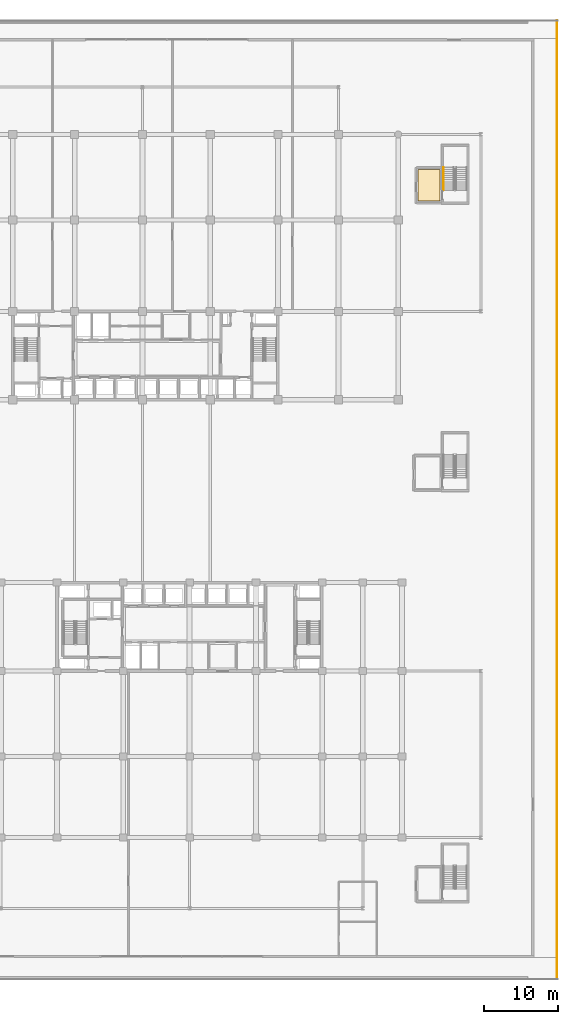
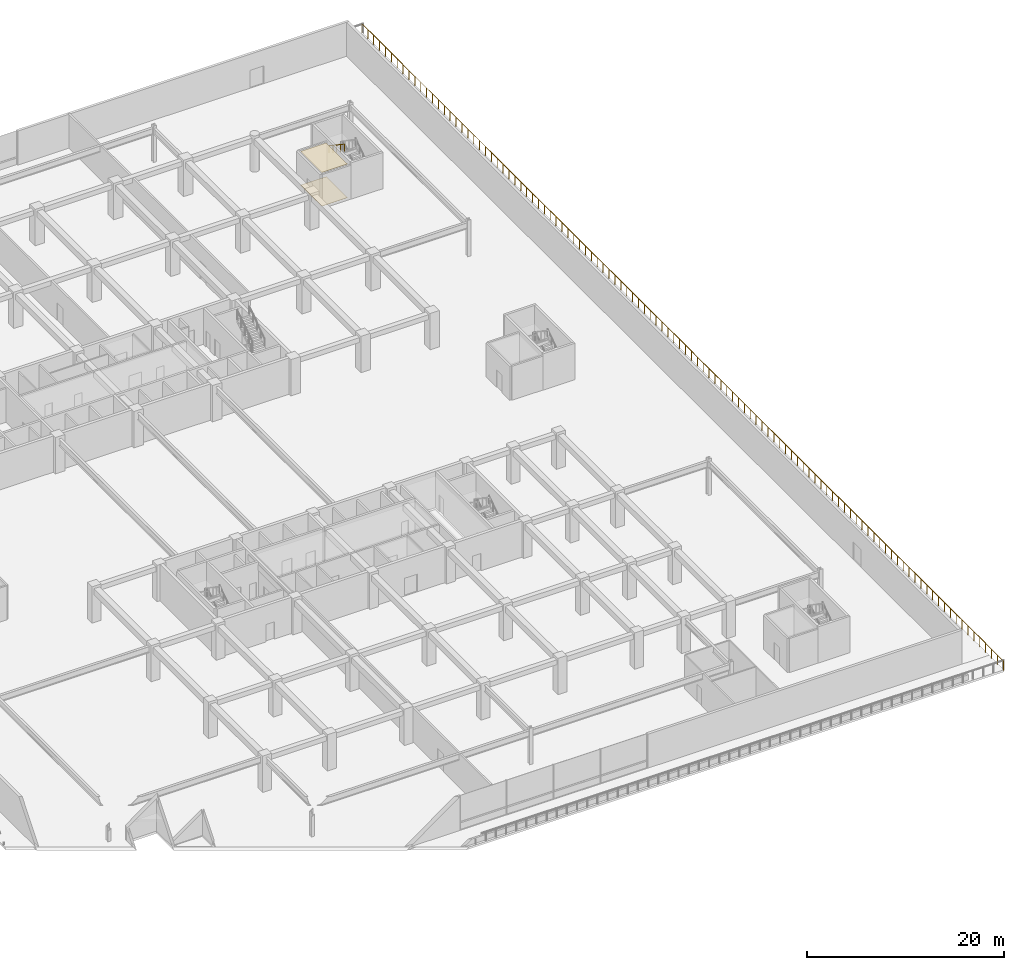
# One storey, part 41 of 43: 2 coverings, 2 railings.
"""IFC4 building model written with IfcOpenShell, lengths in metres."""

from ifc_helpers import new_model, si_unit, direction, frame, origin, origin_2d, place, context, subcontext, project, spatial, polyline, circle, outline, extrude, material, layer, layer_set, type_object, element, save


model = new_model("IFC4")

# Units and contexts
model_context = context("Model", 3, precision=1e-05, world=origin(), true_north=direction((0.0, 1.0)))
body_context = subcontext(model_context, "Body", "Model", "MODEL_VIEW")
ifc_project = project(units=[si_unit("LENGTHUNIT", "METRE"), si_unit("AREAUNIT", "SQUARE_METRE"), si_unit("VOLUMEUNIT", "CUBIC_METRE"), si_unit("PLANEANGLEUNIT", "RADIAN"), si_unit("MASSUNIT", "GRAM", prefix="KILO")], contexts=[model_context])

# Site, building, storey
site_placement = place(None, origin())
site = spatial("IfcSite", under=ifc_project, at=site_placement, CompositionType="ELEMENT")
building_placement = place(site_placement, origin())
building = spatial("IfcBuilding", under=site, at=building_placement, Name="Korimba Cascade Residences", CompositionType="ELEMENT")
storey_placement = place(building_placement, frame((0.0, 0.0, 10.0)))
storey = spatial("IfcBuildingStorey", under=building, at=storey_placement, Name="L02", CompositionType="ELEMENT", Elevation=10.0)

# Coverings
ifc_material_1 = material(Name="Perforated Acoustic Gypsum Ceiling", Category="gypsum")
ifc_layer_1 = layer(ifc_material_1, 0.02490234375)
ifc_layer_set_1 = layer_set([ifc_layer_1], Name="Perforated Acoustic Gypsum Ceiling")
covering_type_1 = type_object("IfcCoveringType", Name="COV-CLG-AC", PredefinedType="CEILING", material=ifc_layer_set_1)
covering_1_placement = place(storey_placement, frame((0.0, 0.0, 4.175048828125)))
element("IfcCovering", 1, at=covering_1_placement, inside=storey, type_object=covering_type_1, Name="L02 Suspended Acoustic Ceiling L02-PL4", PredefinedType="CEILING", context=body_context, shape_type="SweptSolid", body=[
    extrude(outline(polyline([(131.050048828125, 82.14990234375), (134.050048828125, 82.14990234375), (134.050048828125, 86.449951171875), (131.050048828125, 86.449951171875), (131.050048828125, 82.14990234375)])), origin(), (0.0, 0.0, 1.0), 0.02490234375),
])
ifc_material_2 = material(Name="Honed Travertine Stone Flooring", Category="masonry")
ifc_layer_2 = layer(ifc_material_2, 0.02490234375)
ifc_layer_set_2 = layer_set([ifc_layer_2], Name="Honed Travertine Stone Flooring")
covering_type_2 = type_object("IfcCoveringType", Name="COV-FLR-STN", PredefinedType="FLOORING", material=ifc_layer_set_2)
covering_2_placement = place(storey_placement, origin())
element("IfcCovering", 2, at=covering_2_placement, inside=storey, type_object=covering_type_2, Name="L02 Honed Travertine Stone Flooring L02-PL4", PredefinedType="FLOORING", context=body_context, shape_type="SweptSolid", body=[
    extrude(outline(polyline([(131.050048828125, 82.14990234375), (134.050048828125, 82.14990234375), (134.050048828125, 86.449951171875), (131.050048828125, 86.449951171875), (131.050048828125, 82.14990234375)])), origin(), (0.0, 0.0, 1.0), 0.02490234375),
])

# Railings
ifc_material_3 = material(Name="Brushed Stainless Steel Handrail", Category="steel")
railing_type_1 = type_object("IfcRailingType", Name="RLG-ST-HR900", PredefinedType="HANDRAIL", material=ifc_material_3)
railing_1_placement = place(storey_placement, frame((134.550048828125, 86.72998046875, 2.629150390625)))
element("IfcRailing", 3, at=railing_1_placement, inside=storey, type_object=railing_type_1, Name="L02 ST-P4 stair handrail 2", PredefinedType="HANDRAIL", context=body_context, shape_type="SweptSolid", body=[
    extrude(circle(Radius=0.02392578125, at=origin_2d()), frame((0.0, 0.0, 0.8759765625), z_axis=(0.0, -0.830913701846, 0.55640131208), x_axis=(1.0, 0.0, 0.0)), (0.0, 0.0, 1.0), 3.706787109375),
    extrude(circle(Radius=0.02099609375, at=origin_2d()), origin(), (0.0, 0.0, 1.0), 0.851806640625),
    extrude(circle(Radius=0.02099609375, at=origin_2d()), frame((0.0, -0.77001953125, 0.515625)), (0.0, 0.0, 1.0), 0.851806640625),
    extrude(circle(Radius=0.02099609375, at=origin_2d()), frame((0.0, -1.5400390625, 1.03125)), (0.0, 0.0, 1.0), 0.851806640625),
    extrude(circle(Radius=0.02099609375, at=origin_2d()), frame((0.0, -2.31005859375, 1.546875)), (0.0, 0.0, 1.0), 0.851806640625),
    extrude(circle(Radius=0.02099609375, at=origin_2d()), frame((0.0, -3.080078125, 2.0625)), (0.0, 0.0, 1.0), 0.851806640625),
])
ifc_material_4 = material(Name="Painted Galvanised Steel Terrace Guardrail", Category="steel")
railing_type_2 = type_object("IfcRailingType", Name="RLG-TER-1150", PredefinedType="GUARDRAIL", material=ifc_material_4)
railing_2_placement = place(storey_placement, frame((149.919921875, -23.5, 0.0)))
element("IfcRailing", 4, at=railing_2_placement, inside=storey, type_object=railing_type_2, Name="L02 Perimeter Guardrail RLG-L02-TER-02", PredefinedType="GUARDRAIL", context=body_context, shape_type="SweptSolid", body=[
    extrude(circle(Radius=0.02392578125, at=origin_2d()), frame((0.0, 0.0, 1.1259765625), z_axis=(0.0, 1.0, 0.0), x_axis=(-1.0, 0.0, 0.0)), (0.0, 0.0, 1.0), 130.199951171875),
    extrude(circle(Radius=0.02099609375, at=origin_2d()), origin(), (0.0, 0.0, 1.0), 1.101806640625),
    extrude(circle(Radius=0.02099609375, at=origin_2d()), frame((0.0, 1.194580078125, 0.0)), (0.0, 0.0, 1.0), 1.101806640625),
    extrude(circle(Radius=0.02099609375, at=origin_2d()), frame((0.0, 2.388916015625, 0.0)), (0.0, 0.0, 1.0), 1.101806640625),
    extrude(circle(Radius=0.02099609375, at=origin_2d()), frame((0.0, 3.58349609375, 0.0)), (0.0, 0.0, 1.0), 1.101806640625),
    extrude(circle(Radius=0.02099609375, at=origin_2d()), frame((0.0, 4.778076171875, 0.0)), (0.0, 0.0, 1.0), 1.101806640625),
    extrude(circle(Radius=0.02099609375, at=origin_2d()), frame((0.0, 5.972412109375, 0.0)), (0.0, 0.0, 1.0), 1.101806640625),
    extrude(circle(Radius=0.02099609375, at=origin_2d()), frame((0.0, 7.1669921875, 0.0)), (0.0, 0.0, 1.0), 1.101806640625),
    extrude(circle(Radius=0.02099609375, at=origin_2d()), frame((0.0, 8.361572265625, 0.0)), (0.0, 0.0, 1.0), 1.101806640625),
    extrude(circle(Radius=0.02099609375, at=origin_2d()), frame((0.0, 9.555908203125, 0.0)), (0.0, 0.0, 1.0), 1.101806640625),
    extrude(circle(Radius=0.02099609375, at=origin_2d()), frame((0.0, 10.75048828125, 0.0)), (0.0, 0.0, 1.0), 1.101806640625),
    extrude(circle(Radius=0.02099609375, at=origin_2d()), frame((0.0, 11.945068359375, 0.0)), (0.0, 0.0, 1.0), 1.101806640625),
    extrude(circle(Radius=0.02099609375, at=origin_2d()), frame((0.0, 13.139404296875, 0.0)), (0.0, 0.0, 1.0), 1.101806640625),
    extrude(circle(Radius=0.02099609375, at=origin_2d()), frame((0.0, 14.333984375, 0.0)), (0.0, 0.0, 1.0), 1.101806640625),
    extrude(circle(Radius=0.02099609375, at=origin_2d()), frame((0.0, 15.5283203125, 0.0)), (0.0, 0.0, 1.0), 1.101806640625),
    extrude(circle(Radius=0.02099609375, at=origin_2d()), frame((0.0, 16.722900390625, 0.0)), (0.0, 0.0, 1.0), 1.101806640625),
    extrude(circle(Radius=0.02099609375, at=origin_2d()), frame((0.0, 17.91748046875, 0.0)), (0.0, 0.0, 1.0), 1.101806640625),
    extrude(circle(Radius=0.02099609375, at=origin_2d()), frame((0.0, 19.11181640625, 0.0)), (0.0, 0.0, 1.0), 1.101806640625),
    extrude(circle(Radius=0.02099609375, at=origin_2d()), frame((0.0, 20.306396484375, 0.0)), (0.0, 0.0, 1.0), 1.101806640625),
    extrude(circle(Radius=0.02099609375, at=origin_2d()), frame((0.0, 21.5009765625, 0.0)), (0.0, 0.0, 1.0), 1.101806640625),
    extrude(circle(Radius=0.02099609375, at=origin_2d()), frame((0.0, 22.6953125, 0.0)), (0.0, 0.0, 1.0), 1.101806640625),
    extrude(circle(Radius=0.02099609375, at=origin_2d()), frame((0.0, 23.889892578125, 0.0)), (0.0, 0.0, 1.0), 1.101806640625),
    extrude(circle(Radius=0.02099609375, at=origin_2d()), frame((0.0, 25.08447265625, 0.0)), (0.0, 0.0, 1.0), 1.101806640625),
    extrude(circle(Radius=0.02099609375, at=origin_2d()), frame((0.0, 26.27880859375, 0.0)), (0.0, 0.0, 1.0), 1.101806640625),
    extrude(circle(Radius=0.02099609375, at=origin_2d()), frame((0.0, 27.473388671875, 0.0)), (0.0, 0.0, 1.0), 1.101806640625),
    extrude(circle(Radius=0.02099609375, at=origin_2d()), frame((0.0, 28.66796875, 0.0)), (0.0, 0.0, 1.0), 1.101806640625),
    extrude(circle(Radius=0.02099609375, at=origin_2d()), frame((0.0, 29.8623046875, 0.0)), (0.0, 0.0, 1.0), 1.101806640625),
    extrude(circle(Radius=0.02099609375, at=origin_2d()), frame((0.0, 31.056884765625, 0.0)), (0.0, 0.0, 1.0), 1.101806640625),
    extrude(circle(Radius=0.02099609375, at=origin_2d()), frame((0.0, 32.25146484375, 0.0)), (0.0, 0.0, 1.0), 1.101806640625),
    extrude(circle(Radius=0.02099609375, at=origin_2d()), frame((0.0, 33.44580078125, 0.0)), (0.0, 0.0, 1.0), 1.101806640625),
    extrude(circle(Radius=0.02099609375, at=origin_2d()), frame((0.0, 34.640380859375, 0.0)), (0.0, 0.0, 1.0), 1.101806640625),
    extrude(circle(Radius=0.02099609375, at=origin_2d()), frame((0.0, 35.8349609375, 0.0)), (0.0, 0.0, 1.0), 1.101806640625),
    extrude(circle(Radius=0.02099609375, at=origin_2d()), frame((0.0, 37.029296875, 0.0)), (0.0, 0.0, 1.0), 1.101806640625),
    extrude(circle(Radius=0.02099609375, at=origin_2d()), frame((0.0, 38.223876953125, 0.0)), (0.0, 0.0, 1.0), 1.101806640625),
    extrude(circle(Radius=0.02099609375, at=origin_2d()), frame((0.0, 39.418212890625, 0.0)), (0.0, 0.0, 1.0), 1.101806640625),
    extrude(circle(Radius=0.02099609375, at=origin_2d()), frame((0.0, 40.61279296875, 0.0)), (0.0, 0.0, 1.0), 1.101806640625),
    extrude(circle(Radius=0.02099609375, at=origin_2d()), frame((0.0, 41.807373046875, 0.0)), (0.0, 0.0, 1.0), 1.101806640625),
    extrude(circle(Radius=0.02099609375, at=origin_2d()), frame((0.0, 43.001708984375, 0.0)), (0.0, 0.0, 1.0), 1.101806640625),
    extrude(circle(Radius=0.02099609375, at=origin_2d()), frame((0.0, 44.1962890625, 0.0)), (0.0, 0.0, 1.0), 1.101806640625),
    extrude(circle(Radius=0.02099609375, at=origin_2d()), frame((0.0, 45.390869140625, 0.0)), (0.0, 0.0, 1.0), 1.101806640625),
    extrude(circle(Radius=0.02099609375, at=origin_2d()), frame((0.0, 46.585205078125, 0.0)), (0.0, 0.0, 1.0), 1.101806640625),
    extrude(circle(Radius=0.02099609375, at=origin_2d()), frame((0.0, 47.77978515625, 0.0)), (0.0, 0.0, 1.0), 1.101806640625),
    extrude(circle(Radius=0.02099609375, at=origin_2d()), frame((0.0, 48.974365234375, 0.0)), (0.0, 0.0, 1.0), 1.101806640625),
    extrude(circle(Radius=0.02099609375, at=origin_2d()), frame((0.0, 50.168701171875, 0.0)), (0.0, 0.0, 1.0), 1.101806640625),
    extrude(circle(Radius=0.02099609375, at=origin_2d()), frame((0.0, 51.36328125, 0.0)), (0.0, 0.0, 1.0), 1.101806640625),
    extrude(circle(Radius=0.02099609375, at=origin_2d()), frame((0.0, 52.557861328125, 0.0)), (0.0, 0.0, 1.0), 1.101806640625),
    extrude(circle(Radius=0.02099609375, at=origin_2d()), frame((0.0, 53.752197265625, 0.0)), (0.0, 0.0, 1.0), 1.101806640625),
    extrude(circle(Radius=0.02099609375, at=origin_2d()), frame((0.0, 54.94677734375, 0.0)), (0.0, 0.0, 1.0), 1.101806640625),
    extrude(circle(Radius=0.02099609375, at=origin_2d()), frame((0.0, 56.141357421875, 0.0)), (0.0, 0.0, 1.0), 1.101806640625),
    extrude(circle(Radius=0.02099609375, at=origin_2d()), frame((0.0, 57.335693359375, 0.0)), (0.0, 0.0, 1.0), 1.101806640625),
    extrude(circle(Radius=0.02099609375, at=origin_2d()), frame((0.0, 58.5302734375, 0.0)), (0.0, 0.0, 1.0), 1.101806640625),
    extrude(circle(Radius=0.02099609375, at=origin_2d()), frame((0.0, 59.724853515625, 0.0)), (0.0, 0.0, 1.0), 1.101806640625),
    extrude(circle(Radius=0.02099609375, at=origin_2d()), frame((0.0, 60.919189453125, 0.0)), (0.0, 0.0, 1.0), 1.101806640625),
    extrude(circle(Radius=0.02099609375, at=origin_2d()), frame((0.0, 62.11376953125, 0.0)), (0.0, 0.0, 1.0), 1.101806640625),
    extrude(circle(Radius=0.02099609375, at=origin_2d()), frame((0.0, 63.308349609375, 0.0)), (0.0, 0.0, 1.0), 1.101806640625),
    extrude(circle(Radius=0.02099609375, at=origin_2d()), frame((0.0, 64.502685546875, 0.0)), (0.0, 0.0, 1.0), 1.101806640625),
    extrude(circle(Radius=0.02099609375, at=origin_2d()), frame((0.0, 65.697265625, 0.0)), (0.0, 0.0, 1.0), 1.101806640625),
    extrude(circle(Radius=0.02099609375, at=origin_2d()), frame((0.0, 66.8916015625, 0.0)), (0.0, 0.0, 1.0), 1.101806640625),
    extrude(circle(Radius=0.02099609375, at=origin_2d()), frame((0.0, 68.086181640625, 0.0)), (0.0, 0.0, 1.0), 1.101806640625),
    extrude(circle(Radius=0.02099609375, at=origin_2d()), frame((0.0, 69.28076171875, 0.0)), (0.0, 0.0, 1.0), 1.101806640625),
    extrude(circle(Radius=0.02099609375, at=origin_2d()), frame((0.0, 70.47509765625, 0.0)), (0.0, 0.0, 1.0), 1.101806640625),
    extrude(circle(Radius=0.02099609375, at=origin_2d()), frame((0.0, 71.669677734375, 0.0)), (0.0, 0.0, 1.0), 1.101806640625),
    extrude(circle(Radius=0.02099609375, at=origin_2d()), frame((0.0, 72.8642578125, 0.0)), (0.0, 0.0, 1.0), 1.101806640625),
    extrude(circle(Radius=0.02099609375, at=origin_2d()), frame((0.0, 74.05859375, 0.0)), (0.0, 0.0, 1.0), 1.101806640625),
    extrude(circle(Radius=0.02099609375, at=origin_2d()), frame((0.0, 75.253173828125, 0.0)), (0.0, 0.0, 1.0), 1.101806640625),
    extrude(circle(Radius=0.02099609375, at=origin_2d()), frame((0.0, 76.44775390625, 0.0)), (0.0, 0.0, 1.0), 1.101806640625),
    extrude(circle(Radius=0.02099609375, at=origin_2d()), frame((0.0, 77.64208984375, 0.0)), (0.0, 0.0, 1.0), 1.101806640625),
    extrude(circle(Radius=0.02099609375, at=origin_2d()), frame((0.0, 78.836669921875, 0.0)), (0.0, 0.0, 1.0), 1.101806640625),
    extrude(circle(Radius=0.02099609375, at=origin_2d()), frame((0.0, 80.03125, 0.0)), (0.0, 0.0, 1.0), 1.101806640625),
    extrude(circle(Radius=0.02099609375, at=origin_2d()), frame((0.0, 81.2255859375, 0.0)), (0.0, 0.0, 1.0), 1.101806640625),
    extrude(circle(Radius=0.02099609375, at=origin_2d()), frame((0.0, 82.420166015625, 0.0)), (0.0, 0.0, 1.0), 1.101806640625),
    extrude(circle(Radius=0.02099609375, at=origin_2d()), frame((0.0, 83.61474609375, 0.0)), (0.0, 0.0, 1.0), 1.101806640625),
    extrude(circle(Radius=0.02099609375, at=origin_2d()), frame((0.0, 84.80908203125, 0.0)), (0.0, 0.0, 1.0), 1.101806640625),
    extrude(circle(Radius=0.02099609375, at=origin_2d()), frame((0.0, 86.003662109375, 0.0)), (0.0, 0.0, 1.0), 1.101806640625),
    extrude(circle(Radius=0.02099609375, at=origin_2d()), frame((0.0, 87.1982421875, 0.0)), (0.0, 0.0, 1.0), 1.101806640625),
    extrude(circle(Radius=0.02099609375, at=origin_2d()), frame((0.0, 88.392578125, 0.0)), (0.0, 0.0, 1.0), 1.101806640625),
    extrude(circle(Radius=0.02099609375, at=origin_2d()), frame((0.0, 89.587158203125, 0.0)), (0.0, 0.0, 1.0), 1.101806640625),
    extrude(circle(Radius=0.02099609375, at=origin_2d()), frame((0.0, 90.78173828125, 0.0)), (0.0, 0.0, 1.0), 1.101806640625),
    extrude(circle(Radius=0.02099609375, at=origin_2d()), frame((0.0, 91.97607421875, 0.0)), (0.0, 0.0, 1.0), 1.101806640625),
    extrude(circle(Radius=0.02099609375, at=origin_2d()), frame((0.0, 93.170654296875, 0.0)), (0.0, 0.0, 1.0), 1.101806640625),
    extrude(circle(Radius=0.02099609375, at=origin_2d()), frame((0.0, 94.364990234375, 0.0)), (0.0, 0.0, 1.0), 1.101806640625),
    extrude(circle(Radius=0.02099609375, at=origin_2d()), frame((0.0, 95.5595703125, 0.0)), (0.0, 0.0, 1.0), 1.101806640625),
    extrude(circle(Radius=0.02099609375, at=origin_2d()), frame((0.0, 96.754150390625, 0.0)), (0.0, 0.0, 1.0), 1.101806640625),
    extrude(circle(Radius=0.02099609375, at=origin_2d()), frame((0.0, 97.948486328125, 0.0)), (0.0, 0.0, 1.0), 1.101806640625),
    extrude(circle(Radius=0.02099609375, at=origin_2d()), frame((0.0, 99.14306640625, 0.0)), (0.0, 0.0, 1.0), 1.101806640625),
    extrude(circle(Radius=0.02099609375, at=origin_2d()), frame((0.0, 100.337646484375, 0.0)), (0.0, 0.0, 1.0), 1.101806640625),
    extrude(circle(Radius=0.02099609375, at=origin_2d()), frame((0.0, 101.531982421875, 0.0)), (0.0, 0.0, 1.0), 1.101806640625),
    extrude(circle(Radius=0.02099609375, at=origin_2d()), frame((0.0, 102.7265625, 0.0)), (0.0, 0.0, 1.0), 1.101806640625),
    extrude(circle(Radius=0.02099609375, at=origin_2d()), frame((0.0, 103.921142578125, 0.0)), (0.0, 0.0, 1.0), 1.101806640625),
    extrude(circle(Radius=0.02099609375, at=origin_2d()), frame((0.0, 105.115478515625, 0.0)), (0.0, 0.0, 1.0), 1.101806640625),
    extrude(circle(Radius=0.02099609375, at=origin_2d()), frame((0.0, 106.31005859375, 0.0)), (0.0, 0.0, 1.0), 1.101806640625),
    extrude(circle(Radius=0.02099609375, at=origin_2d()), frame((0.0, 107.504638671875, 0.0)), (0.0, 0.0, 1.0), 1.101806640625),
    extrude(circle(Radius=0.02099609375, at=origin_2d()), frame((0.0, 108.698974609375, 0.0)), (0.0, 0.0, 1.0), 1.101806640625),
    extrude(circle(Radius=0.02099609375, at=origin_2d()), frame((0.0, 109.8935546875, 0.0)), (0.0, 0.0, 1.0), 1.101806640625),
    extrude(circle(Radius=0.02099609375, at=origin_2d()), frame((0.0, 111.088134765625, 0.0)), (0.0, 0.0, 1.0), 1.101806640625),
    extrude(circle(Radius=0.02099609375, at=origin_2d()), frame((0.0, 112.282470703125, 0.0)), (0.0, 0.0, 1.0), 1.101806640625),
    extrude(circle(Radius=0.02099609375, at=origin_2d()), frame((0.0, 113.47705078125, 0.0)), (0.0, 0.0, 1.0), 1.101806640625),
    extrude(circle(Radius=0.02099609375, at=origin_2d()), frame((0.0, 114.671630859375, 0.0)), (0.0, 0.0, 1.0), 1.101806640625),
    extrude(circle(Radius=0.02099609375, at=origin_2d()), frame((0.0, 115.865966796875, 0.0)), (0.0, 0.0, 1.0), 1.101806640625),
    extrude(circle(Radius=0.02099609375, at=origin_2d()), frame((0.0, 117.060546875, 0.0)), (0.0, 0.0, 1.0), 1.101806640625),
    extrude(circle(Radius=0.02099609375, at=origin_2d()), frame((0.0, 118.2548828125, 0.0)), (0.0, 0.0, 1.0), 1.101806640625),
    extrude(circle(Radius=0.02099609375, at=origin_2d()), frame((0.0, 119.449462890625, 0.0)), (0.0, 0.0, 1.0), 1.101806640625),
    extrude(circle(Radius=0.02099609375, at=origin_2d()), frame((0.0, 120.64404296875, 0.0)), (0.0, 0.0, 1.0), 1.101806640625),
    extrude(circle(Radius=0.02099609375, at=origin_2d()), frame((0.0, 121.83837890625, 0.0)), (0.0, 0.0, 1.0), 1.101806640625),
    extrude(circle(Radius=0.02099609375, at=origin_2d()), frame((0.0, 123.032958984375, 0.0)), (0.0, 0.0, 1.0), 1.101806640625),
    extrude(circle(Radius=0.02099609375, at=origin_2d()), frame((0.0, 124.2275390625, 0.0)), (0.0, 0.0, 1.0), 1.101806640625),
    extrude(circle(Radius=0.02099609375, at=origin_2d()), frame((0.0, 125.421875, 0.0)), (0.0, 0.0, 1.0), 1.101806640625),
    extrude(circle(Radius=0.02099609375, at=origin_2d()), frame((0.0, 126.616455078125, 0.0)), (0.0, 0.0, 1.0), 1.101806640625),
    extrude(circle(Radius=0.02099609375, at=origin_2d()), frame((0.0, 127.81103515625, 0.0)), (0.0, 0.0, 1.0), 1.101806640625),
    extrude(circle(Radius=0.02099609375, at=origin_2d()), frame((0.0, 129.00537109375, 0.0)), (0.0, 0.0, 1.0), 1.101806640625),
    extrude(circle(Radius=0.02099609375, at=origin_2d()), frame((0.0, 130.199951171875, 0.0)), (0.0, 0.0, 1.0), 1.101806640625),
])

save(model, "model.ifc")
